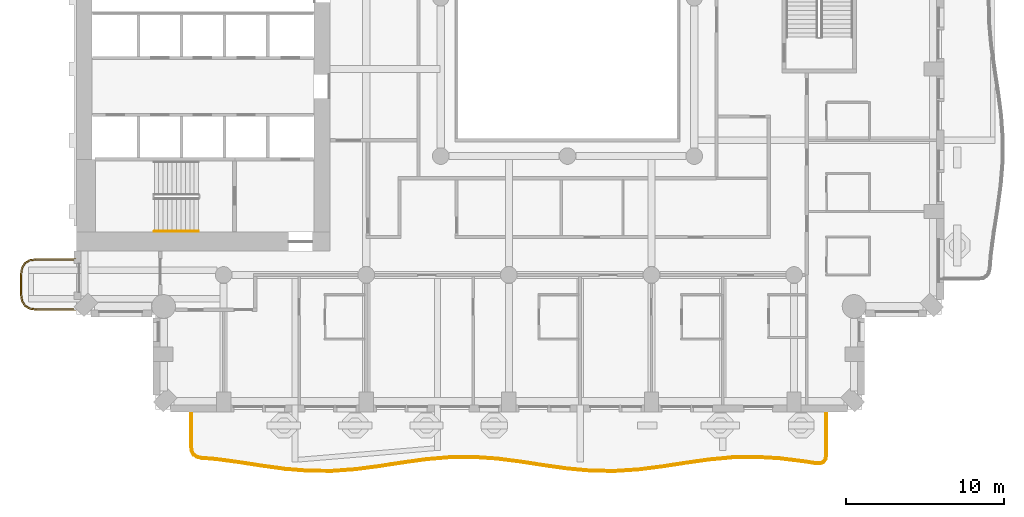
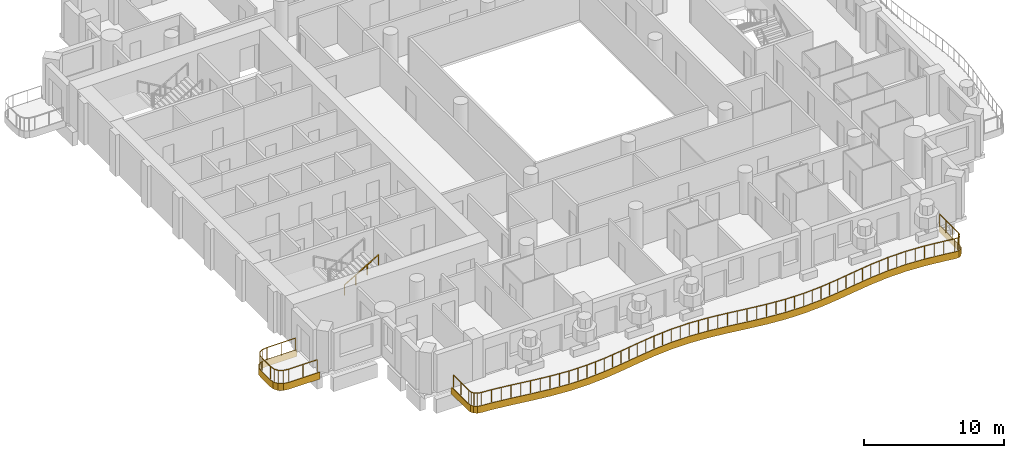
# One storey, part 13 of 20: 3 railings, 2 coverings.
"""IFC4 building model written with IfcOpenShell, lengths in metres."""

from ifc_helpers import new_model, si_unit, direction, frame, origin, origin_2d, place, context, subcontext, project, spatial, polyline, rectangle, outline, extrude, material, layer, layer_set, type_object, element, save


model = new_model("IFC4")

# Units and contexts
model_context = context("Model", 3, precision=1e-05, world=origin(), true_north=direction((0.0, 1.0)))
body_context = subcontext(model_context, "Body", "Model", "MODEL_VIEW")
ifc_project = project(units=[si_unit("LENGTHUNIT", "METRE"), si_unit("AREAUNIT", "SQUARE_METRE"), si_unit("VOLUMEUNIT", "CUBIC_METRE"), si_unit("PLANEANGLEUNIT", "RADIAN"), si_unit("MASSUNIT", "GRAM", prefix="KILO")], contexts=[model_context])

# Site, building, storey
site_placement = place(None, origin())
site = spatial("IfcSite", under=ifc_project, at=site_placement, CompositionType="ELEMENT")
building_placement = place(site_placement, origin())
building = spatial("IfcBuilding", under=site, at=building_placement, Name="Cypress Arch Tower", CompositionType="ELEMENT")
storey_placement = place(building_placement, frame((0.0, 0.0, 131.10009765625)))
storey = spatial("IfcBuildingStorey", under=building, at=storey_placement, Name="L28", CompositionType="ELEMENT", Elevation=131.10009765625)

# Coverings
ifc_material_1 = material(Name="White powder-coated aluminium fascia", Category="aluminium")
ifc_layer = layer(ifc_material_1, 0.050048828125)
ifc_layer_set = layer_set([ifc_layer], Name="Balcony fascia BF50")
covering_type = type_object("IfcCoveringType", Name="Balcony fascia BF50", PredefinedType="CLADDING", material=ifc_layer_set)
covering_1_placement = place(storey_placement, frame((0.0, 0.0, -0.60009765625)))
element("IfcCovering", 1, at=covering_1_placement, inside=storey, type_object=covering_type, Name="Balcony fascia L28-A00W1", PredefinedType="CLADDING", context=body_context, shape_type="SweptSolid", body=[
    extrude(outline(polyline([(-32.503662109375, -19.75), (-32.95458984375, -19.685546875), (-33.286376953125, -19.486328125), (-33.485595703125, -19.154541015625), (-33.550048828125, -18.70361328125), (-33.550048828125, -17.496337890625), (-33.485595703125, -17.04541015625), (-33.286376953125, -16.713623046875), (-32.95458984375, -16.514404296875), (-32.503662109375, -16.449951171875), (-30.0009765625, -16.449951171875), (-30.0009765625, -16.5), (-32.5, -16.5), (-32.9375, -16.5625), (-33.25, -16.75), (-33.4375, -17.0625), (-33.5, -17.5), (-33.5, -18.699951171875), (-33.4375, -19.137451171875), (-33.25, -19.449951171875), (-32.9375, -19.637451171875), (-32.5, -19.699951171875), (-30.0009765625, -19.699951171875), (-30.0009765625, -19.75), (-32.503662109375, -19.75)])), origin(), (0.0, 0.0, 1.0), 0.60009765625),
])
covering_2_placement = place(storey_placement, frame((0.0, 0.0, -0.60009765625)))
element("IfcCovering", 2, at=covering_2_placement, inside=storey, type_object=covering_type, Name="Balcony fascia L28-A03", PredefinedType="CLADDING", context=body_context, shape_type="SweptSolid", body=[
    extrude(outline(polyline([(17.39990234375, -28.832275390625), (17.356201171875, -29.13623046875), (17.216796875, -29.349609375), (16.984619140625, -29.454833984375), (16.677490234375, -29.451904296875), (15.85791015625, -29.325927734375), (14.375, -29.143310546875), (12.893310546875, -29.05419921875), (11.412109375, -29.082275390625), (9.929931640625, -29.2197265625), (8.4462890625, -29.430908203125), (6.960693359375, -29.66015625), (5.47314453125, -29.84765625), (3.984619140625, -29.943603515625), (2.49560546875, -29.9228515625), (1.00732421875, -29.79052734375), (-0.4794921875, -29.581787109375), (-1.96435546875, -29.351806640625), (-3.447509765625, -29.160888671875), (-4.92919921875, -29.05908203125), (-6.41064453125, -29.07275390625), (-7.892578125, -29.198486328125), (-9.3759765625, -29.4033203125), (-10.861328125, -29.6337890625), (-12.3486328125, -29.829345703125), (-13.837158203125, -29.93798828125), (-15.326171875, -29.931396484375), (-16.814697265625, -29.811279296875), (-18.3017578125, -29.609130859375), (-19.786865234375, -29.37841796875), (-21.27001953125, -29.179931640625), (-22.089111328125, -29.11669921875), (-22.394287109375, -29.04931640625), (-22.62060546875, -28.8955078125), (-22.75634765625, -28.657958984375), (-22.800048828125, -28.348388671875), (-22.800048828125, -26.0009765625), (-22.75, -26.0009765625), (-22.75, -28.344970703125), (-22.708251953125, -28.6416015625), (-22.5830078125, -28.860595703125), (-22.3740234375, -29.00244140625), (-22.081787109375, -29.06689453125), (-21.264892578125, -29.130126953125), (-19.779541015625, -29.3291015625), (-18.29443359375, -29.559814453125), (-16.809326171875, -29.761474609375), (-15.323974609375, -29.881591796875), (-13.8388671875, -29.88818359375), (-12.353759765625, -29.779541015625), (-10.868408203125, -29.584228515625), (-9.38330078125, -29.353759765625), (-7.898193359375, -29.148681640625), (-6.412841796875, -29.022705078125), (-4.927734375, -29.009033203125), (-3.442626953125, -29.111083984375), (-1.95751953125, -29.302490234375), (-0.47216796875, -29.532470703125), (1.012939453125, -29.74072265625), (2.498046875, -29.872802734375), (3.9833984375, -29.8935546875), (5.468505859375, -29.7978515625), (6.95361328125, -29.61083984375), (8.43896484375, -29.38134765625), (9.924072265625, -29.169921875), (11.4091796875, -29.0322265625), (12.89453125, -29.004150390625), (14.379638671875, -29.093505859375), (15.86474609375, -29.2763671875), (16.681640625, -29.402099609375), (16.97412109375, -29.40478515625), (17.182861328125, -29.31005859375), (17.308349609375, -29.1181640625), (17.35009765625, -28.82861328125), (17.35009765625, -26.0009765625), (17.39990234375, -26.0009765625), (17.39990234375, -28.832275390625)])), origin(), (0.0, 0.0, 1.0), 0.60009765625),
])

# Railings
ifc_material_2 = material(Name="Powder-coated steel posts and rods, 100 mm clear between rods", Category="steel")
railing_type_1 = type_object("IfcRailingType", Name="Balcony guard GR1100", PredefinedType="GUARDRAIL", material=ifc_material_2)
railing_1_placement = place(storey_placement, frame((-30.14990234375, -19.64990234375, 0.0)))
element("IfcRailing", 3, at=railing_1_placement, inside=storey, type_object=railing_type_1, Name="Balcony guard L28-A00W1", PredefinedType="GUARDRAIL", context=body_context, shape_type="SweptSolid", body=[
    extrude(rectangle(XDim=0.050048828125, YDim=0.050048828125, at=origin_2d()), frame((0.0, 0.0, 1.0751953125), z_axis=(-1.0, 0.0, 0.0), x_axis=(0.0, -1.0, 0.0)), (0.0, 0.0, 1.0), 2.346435546875),
    extrude(rectangle(XDim=0.050048828125, YDim=0.050048828125, at=origin_2d()), frame((-2.346435546875, 0.0, 1.0751953125), z_axis=(-0.989960888959, 0.141341566184, 0.0), x_axis=(-0.141341566184, -0.989960888959, 0.0)), (0.0, 0.0, 1.0), 0.428466796875),
    extrude(rectangle(XDim=0.050048828125, YDim=0.050048828125, at=origin_2d()), frame((-2.7705078125, 0.060546875, 1.0751953125), z_axis=(-0.857681904839, 0.514180659021, 0.0), x_axis=(-0.514180659021, -0.857681904839, 0.0)), (0.0, 0.0, 1.0), 0.341796875),
    extrude(rectangle(XDim=0.050048828125, YDim=0.050048828125, at=origin_2d()), frame((-3.063720703125, 0.236328125, 1.0751953125), z_axis=(-0.514180659021, 0.857681904839, 0.0), x_axis=(-0.857681904839, -0.514180659021, 0.0)), (0.0, 0.0, 1.0), 0.341796875),
    extrude(rectangle(XDim=0.050048828125, YDim=0.050048828125, at=origin_2d()), frame((-3.239501953125, 0.529541015625, 1.0751953125), z_axis=(-0.141421356237, 0.989949493661, 0.0), x_axis=(-0.989949493661, -0.141421356237, 0.0)), (0.0, 0.0, 1.0), 0.42822265625),
    extrude(rectangle(XDim=0.050048828125, YDim=0.050048828125, at=origin_2d()), frame((-3.300048828125, 0.953369140625, 1.0751953125), z_axis=(0.0, 1.0, 0.0), x_axis=(-1.0, 0.0, 0.0)), (0.0, 0.0, 1.0), 1.19287109375),
    extrude(rectangle(XDim=0.050048828125, YDim=0.050048828125, at=origin_2d()), frame((-3.300048828125, 2.146240234375, 1.0751953125), z_axis=(0.141341566184, 0.989960888959, 0.0), x_axis=(-0.989960888959, 0.141341566184, 0.0)), (0.0, 0.0, 1.0), 0.428466796875),
    extrude(rectangle(XDim=0.050048828125, YDim=0.050048828125, at=origin_2d()), frame((-3.239501953125, 2.5703125, 1.0751953125), z_axis=(0.514180659021, 0.857681904839, 0.0), x_axis=(-0.857681904839, 0.514180659021, 0.0)), (0.0, 0.0, 1.0), 0.341796875),
    extrude(rectangle(XDim=0.050048828125, YDim=0.050048828125, at=origin_2d()), frame((-3.063720703125, 2.863525390625, 1.0751953125), z_axis=(0.857681904839, 0.514180659021, 0.0), x_axis=(-0.514180659021, 0.857681904839, 0.0)), (0.0, 0.0, 1.0), 0.341796875),
    extrude(rectangle(XDim=0.050048828125, YDim=0.050048828125, at=origin_2d()), frame((-2.7705078125, 3.039306640625, 1.0751953125), z_axis=(0.989960888959, 0.141341566184, 0.0), x_axis=(-0.141341566184, 0.989960888959, 0.0)), (0.0, 0.0, 1.0), 0.428466796875),
    extrude(rectangle(XDim=0.050048828125, YDim=0.050048828125, at=origin_2d()), frame((-2.346435546875, 3.099853515625, 1.0751953125), z_axis=(1.0, 0.0, 0.0), x_axis=(0.0, 1.0, 0.0)), (0.0, 0.0, 1.0), 2.346435546875),
    extrude(rectangle(XDim=0.0400390625, YDim=0.0400390625, at=origin_2d()), origin(), (0.0, 0.0, 1.0), 1.050048828125),
    extrude(rectangle(XDim=0.0400390625, YDim=0.0400390625, at=origin_2d()), frame((-1.17333984375, 0.0, 0.0)), (0.0, 0.0, 1.0), 1.050048828125),
    extrude(rectangle(XDim=0.0400390625, YDim=0.0400390625, at=origin_2d()), frame((-2.346435546875, 0.0, 0.0)), (0.0, 0.0, 1.0), 1.050048828125),
    extrude(rectangle(XDim=0.0400390625, YDim=0.0400390625, at=origin_2d()), frame((-2.7705078125, 0.060546875, 0.0)), (0.0, 0.0, 1.0), 1.050048828125),
    extrude(rectangle(XDim=0.0400390625, YDim=0.0400390625, at=origin_2d()), frame((-3.063720703125, 0.236328125, 0.0)), (0.0, 0.0, 1.0), 1.050048828125),
    extrude(rectangle(XDim=0.0400390625, YDim=0.0400390625, at=origin_2d()), frame((-3.239501953125, 0.529541015625, 0.0)), (0.0, 0.0, 1.0), 1.050048828125),
    extrude(rectangle(XDim=0.0400390625, YDim=0.0400390625, at=origin_2d()), frame((-3.300048828125, 0.953369140625, 0.0)), (0.0, 0.0, 1.0), 1.050048828125),
    extrude(rectangle(XDim=0.0400390625, YDim=0.0400390625, at=origin_2d()), frame((-3.300048828125, 2.146240234375, 0.0)), (0.0, 0.0, 1.0), 1.050048828125),
    extrude(rectangle(XDim=0.0400390625, YDim=0.0400390625, at=origin_2d()), frame((-3.239501953125, 2.5703125, 0.0)), (0.0, 0.0, 1.0), 1.050048828125),
    extrude(rectangle(XDim=0.0400390625, YDim=0.0400390625, at=origin_2d()), frame((-3.063720703125, 2.863525390625, 0.0)), (0.0, 0.0, 1.0), 1.050048828125),
    extrude(rectangle(XDim=0.0400390625, YDim=0.0400390625, at=origin_2d()), frame((-2.7705078125, 3.039306640625, 0.0)), (0.0, 0.0, 1.0), 1.050048828125),
    extrude(rectangle(XDim=0.0400390625, YDim=0.0400390625, at=origin_2d()), frame((-2.346435546875, 3.099853515625, 0.0)), (0.0, 0.0, 1.0), 1.050048828125),
    extrude(rectangle(XDim=0.0400390625, YDim=0.0400390625, at=origin_2d()), frame((-1.17333984375, 3.099853515625, 0.0)), (0.0, 0.0, 1.0), 1.050048828125),
    extrude(rectangle(XDim=0.0400390625, YDim=0.0400390625, at=origin_2d()), frame((0.0, 3.099853515625, 0.0)), (0.0, 0.0, 1.0), 1.050048828125),
])
railing_2_placement = place(storey_placement, frame((17.300048828125, -26.14990234375, 0.0)))
element("IfcRailing", 4, at=railing_2_placement, inside=storey, type_object=railing_type_1, Name="Balcony guard L28-A03", PredefinedType="GUARDRAIL", context=body_context, shape_type="SweptSolid", body=[
    extrude(rectangle(XDim=0.050048828125, YDim=0.050048828125, at=origin_2d()), frame((0.0, 0.0, 1.0751953125), z_axis=(0.0, -1.0, 0.0), x_axis=(1.0, 0.0, 0.0)), (0.0, 0.0, 1.0), 2.675048828125),
    extrude(rectangle(XDim=0.050048828125, YDim=0.050048828125, at=origin_2d()), frame((0.0, -2.675048828125, 1.0751953125), z_axis=(-0.143142363533, -0.989702108597, 0.0), x_axis=(0.989702108597, -0.143142363533, 0.0)), (0.0, 0.0, 1.0), 0.278076171875),
    extrude(rectangle(XDim=0.050048828125, YDim=0.050048828125, at=origin_2d()), frame((-0.039794921875, -2.9501953125, 1.0751953125), z_axis=(-0.546926167925, -0.837180844763, 0.0), x_axis=(0.837180844763, -0.546926167925, 0.0)), (0.0, 0.0, 1.0), 0.20361328125),
    extrude(rectangle(XDim=0.050048828125, YDim=0.050048828125, at=origin_2d()), frame((-0.151123046875, -3.12060546875, 1.0751953125), z_axis=(-0.910571523184, -0.413351546709, 0.0), x_axis=(0.413351546709, -0.910571523184, 0.0)), (0.0, 0.0, 1.0), 0.203857421875),
    extrude(rectangle(XDim=0.050048828125, YDim=0.050048828125, at=origin_2d()), frame((-0.336669921875, -3.204833984375, 1.0751953125), z_axis=(-0.999953204514, 0.009674129507, 0.0), x_axis=(-0.009674129507, -0.999953204514, 0.0)), (0.0, 0.0, 1.0), 0.277587890625),
    extrude(rectangle(XDim=0.050048828125, YDim=0.050048828125, at=origin_2d()), frame((-0.6142578125, -3.2021484375, 1.0751953125), z_axis=(-0.988375123577, 0.152034914062, 0.0), x_axis=(-0.152034914062, -0.988375123577, 0.0)), (0.0, 0.0, 1.0), 0.82373046875),
    extrude(rectangle(XDim=0.050048828125, YDim=0.050048828125, at=origin_2d()), frame((-1.428466796875, -3.076904296875, 1.0751953125), z_axis=(-0.992506755939, 0.122189768049, 0.0), x_axis=(-0.122189768049, -0.992506755939, 0.0)), (0.0, 0.0, 1.0), 1.49853515625),
    extrude(rectangle(XDim=0.050048828125, YDim=0.050048828125, at=origin_2d()), frame((-2.915771484375, -2.893798828125, 1.0751953125), z_axis=(-0.998203670908, 0.059911863488, 0.0), x_axis=(-0.059911863488, -0.998203670908, 0.0)), (0.0, 0.0, 1.0), 1.491455078125),
    extrude(rectangle(XDim=0.050048828125, YDim=0.050048828125, at=origin_2d()), frame((-4.404541015625, -2.804443359375, 1.0751953125), z_axis=(-0.999825358015, -0.018688324449, 0.0), x_axis=(0.018688324449, -0.999825358015, 0.0)), (0.0, 0.0, 1.0), 1.4892578125),
    extrude(rectangle(XDim=0.050048828125, YDim=0.050048828125, at=origin_2d()), frame((-5.8935546875, -2.832275390625, 1.0751953125), z_axis=(-0.995717315914, -0.092450131366, 0.0), x_axis=(0.092450131366, -0.995717315914, 0.0)), (0.0, 0.0, 1.0), 1.49462890625),
    extrude(rectangle(XDim=0.050048828125, YDim=0.050048828125, at=origin_2d()), frame((-7.3818359375, -2.970458984375, 1.0751953125), z_axis=(-0.990037103831, -0.140806722273, 0.0), x_axis=(0.140806722273, -0.990037103831, 0.0)), (0.0, 0.0, 1.0), 1.50146484375),
    extrude(rectangle(XDim=0.050048828125, YDim=0.050048828125, at=origin_2d()), frame((-8.868408203125, -3.181884765625, 1.0751953125), z_axis=(-0.988266265066, -0.152740922256, 0.0), x_axis=(0.152740922256, -0.988266265066, 0.0)), (0.0, 0.0, 1.0), 1.50244140625),
    extrude(rectangle(XDim=0.050048828125, YDim=0.050048828125, at=origin_2d()), frame((-10.353271484375, -3.411376953125, 1.0751953125), z_axis=(-0.992161847266, -0.124959468745, 0.0), x_axis=(0.124959468745, -0.992161847266, 0.0)), (0.0, 0.0, 1.0), 1.49462890625),
    extrude(rectangle(XDim=0.050048828125, YDim=0.050048828125, at=origin_2d()), frame((-11.836181640625, -3.59814453125, 1.0751953125), z_axis=(-0.997931098348, -0.064292479726, 0.0), x_axis=(0.064292479726, -0.997931098348, 0.0)), (0.0, 0.0, 1.0), 1.48486328125),
    extrude(rectangle(XDim=0.050048828125, YDim=0.050048828125, at=origin_2d()), frame((-13.31787109375, -3.693603515625, 1.0751953125), z_axis=(-0.99990190366, 0.014006536225, 0.0), x_axis=(-0.014006536225, -0.99990190366, 0.0)), (0.0, 0.0, 1.0), 1.481689453125),
    extrude(rectangle(XDim=0.050048828125, YDim=0.050048828125, at=origin_2d()), frame((-14.79931640625, -3.6728515625, 1.0751953125), z_axis=(-0.996081960189, 0.088434883305, 0.0), x_axis=(-0.088434883305, -0.996081960189, 0.0)), (0.0, 0.0, 1.0), 1.488037109375),
    extrude(rectangle(XDim=0.050048828125, YDim=0.050048828125, at=origin_2d()), frame((-16.281494140625, -3.541259765625, 1.0751953125), z_axis=(-0.990288860181, 0.139025081918, 0.0), x_axis=(-0.139025081918, -0.990288860181, 0.0)), (0.0, 0.0, 1.0), 1.498046875),
    extrude(rectangle(XDim=0.050048828125, YDim=0.050048828125, at=origin_2d()), frame((-17.764892578125, -3.3330078125, 1.0751953125), z_axis=(-0.988228572221, 0.152984603949, 0.0), x_axis=(-0.152984603949, -0.988228572221, 0.0)), (0.0, 0.0, 1.0), 1.503173828125),
    extrude(rectangle(XDim=0.050048828125, YDim=0.050048828125, at=origin_2d()), frame((-19.25048828125, -3.10302734375, 1.0751953125), z_axis=(-0.991799847974, 0.127800866819, 0.0), x_axis=(-0.127800866819, -0.991799847974, 0.0)), (0.0, 0.0, 1.0), 1.49951171875),
    extrude(rectangle(XDim=0.050048828125, YDim=0.050048828125, at=origin_2d()), frame((-20.73779296875, -2.911376953125, 1.0751953125), z_axis=(-0.99764695258, 0.06856061557, 0.0), x_axis=(-0.06856061557, -0.99764695258, 0.0)), (0.0, 0.0, 1.0), 1.491943359375),
    extrude(rectangle(XDim=0.050048828125, YDim=0.050048828125, at=origin_2d()), frame((-22.226318359375, -2.80908203125, 1.0751953125), z_axis=(-0.999957849636, -0.00918144607, 0.0), x_axis=(0.00918144607, -0.999957849636, 0.0)), (0.0, 0.0, 1.0), 1.489013671875),
    extrude(rectangle(XDim=0.050048828125, YDim=0.050048828125, at=origin_2d()), frame((-23.71533203125, -2.82275390625, 1.0751953125), z_axis=(-0.99642410841, -0.084492580621, 0.0), x_axis=(0.084492580621, -0.99642410841, 0.0)), (0.0, 0.0, 1.0), 1.493896484375),
    extrude(rectangle(XDim=0.050048828125, YDim=0.050048828125, at=origin_2d()), frame((-25.203857421875, -2.948974609375, 1.0751953125), z_axis=(-0.990577044819, -0.136956629185, 0.0), x_axis=(0.136956629185, -0.990577044819, 0.0)), (0.0, 0.0, 1.0), 1.5009765625),
    extrude(rectangle(XDim=0.050048828125, YDim=0.050048828125, at=origin_2d()), frame((-26.690673828125, -3.154541015625, 1.0751953125), z_axis=(-0.988171781301, -0.153351004693, 0.0), x_axis=(0.153351004693, -0.988171781301, 0.0)), (0.0, 0.0, 1.0), 1.5029296875),
    extrude(rectangle(XDim=0.050048828125, YDim=0.050048828125, at=origin_2d()), frame((-28.17578125, -3.385009765625, 1.0751953125), z_axis=(-0.991482602856, -0.130239196227, 0.0), x_axis=(0.130239196227, -0.991482602856, 0.0)), (0.0, 0.0, 1.0), 1.495849609375),
    extrude(rectangle(XDim=0.050048828125, YDim=0.050048828125, at=origin_2d()), frame((-29.658935546875, -3.579833984375, 1.0751953125), z_axis=(-0.997334598664, -0.072963678004, 0.0), x_axis=(0.072963678004, -0.997334598664, 0.0)), (0.0, 0.0, 1.0), 1.485595703125),
    extrude(rectangle(XDim=0.050048828125, YDim=0.050048828125, at=origin_2d()), frame((-31.140625, -3.688232421875, 1.0751953125), z_axis=(-0.999990100804, 0.004449527476, 0.0), x_axis=(-0.004449527476, -0.999990100804, 0.0)), (0.0, 0.0, 1.0), 1.4814453125),
    extrude(rectangle(XDim=0.050048828125, YDim=0.050048828125, at=origin_2d()), frame((-32.6220703125, -3.681640625, 1.0751953125), z_axis=(-0.996757585494, 0.080463132931, 0.0), x_axis=(-0.080463132931, -0.996757585494, 0.0)), (0.0, 0.0, 1.0), 1.48681640625),
    extrude(rectangle(XDim=0.050048828125, YDim=0.050048828125, at=origin_2d()), frame((-34.10400390625, -3.56201171875, 1.0751953125), z_axis=(-0.990885657782, 0.134705653938, 0.0), x_axis=(-0.134705653938, -0.990885657782, 0.0)), (0.0, 0.0, 1.0), 1.4970703125),
    extrude(rectangle(XDim=0.050048828125, YDim=0.050048828125, at=origin_2d()), frame((-35.58740234375, -3.3603515625, 1.0751953125), z_axis=(-0.988147152264, 0.153509626646, 0.0), x_axis=(-0.153509626646, -0.988147152264, 0.0)), (0.0, 0.0, 1.0), 1.5029296875),
    extrude(rectangle(XDim=0.050048828125, YDim=0.050048828125, at=origin_2d()), frame((-37.072509765625, -3.129638671875, 1.0751953125), z_axis=(-0.991145280574, 0.132781899351, 0.0), x_axis=(-0.132781899351, -0.991145280574, 0.0)), (0.0, 0.0, 1.0), 1.500244140625),
    extrude(rectangle(XDim=0.050048828125, YDim=0.050048828125, at=origin_2d()), frame((-38.5595703125, -2.930419921875, 1.0751953125), z_axis=(-0.997024531976, 0.077084905379, 0.0), x_axis=(-0.077084905379, -0.997024531976, 0.0)), (0.0, 0.0, 1.0), 0.817138671875),
    extrude(rectangle(XDim=0.050048828125, YDim=0.050048828125, at=origin_2d()), frame((-39.374267578125, -2.867431640625, 1.0751953125), z_axis=(-0.976665922259, 0.214764234214, 0.0), x_axis=(-0.214764234214, -0.976665922259, 0.0)), (0.0, 0.0, 1.0), 0.286376953125),
    extrude(rectangle(XDim=0.050048828125, YDim=0.050048828125, at=origin_2d()), frame((-39.654052734375, -2.805908203125, 1.0751953125), z_axis=(-0.827142570474, 0.561992142391, 0.0), x_axis=(-0.561992142391, -0.827142570474, 0.0)), (0.0, 0.0, 1.0), 0.231201171875),
    extrude(rectangle(XDim=0.050048828125, YDim=0.050048828125, at=origin_2d()), frame((-39.84521484375, -2.676025390625, 1.0751953125), z_axis=(-0.496706682447, 0.867918470602, 0.0), x_axis=(-0.867918470602, -0.496706682447, 0.0)), (0.0, 0.0, 1.0), 0.2314453125),
    extrude(rectangle(XDim=0.050048828125, YDim=0.050048828125, at=origin_2d()), frame((-39.960205078125, -2.47509765625, 1.0751953125), z_axis=(-0.139032653693, 0.990287797162, 0.0), x_axis=(-0.990287797162, -0.139032653693, 0.0)), (0.0, 0.0, 1.0), 0.2861328125),
    extrude(rectangle(XDim=0.050048828125, YDim=0.050048828125, at=origin_2d()), frame((-40.0, -2.191650390625, 1.0751953125), z_axis=(0.0, 1.0, 0.0), x_axis=(-1.0, 0.0, 0.0)), (0.0, 0.0, 1.0), 2.191650390625),
    extrude(rectangle(XDim=0.0400390625, YDim=0.0400390625, at=origin_2d()), origin(), (0.0, 0.0, 1.0), 1.050048828125),
    extrude(rectangle(XDim=0.0400390625, YDim=0.0400390625, at=origin_2d()), frame((0.0, -0.8916015625, 0.0)), (0.0, 0.0, 1.0), 1.050048828125),
    extrude(rectangle(XDim=0.0400390625, YDim=0.0400390625, at=origin_2d()), frame((0.0, -1.783447265625, 0.0)), (0.0, 0.0, 1.0), 1.050048828125),
    extrude(rectangle(XDim=0.0400390625, YDim=0.0400390625, at=origin_2d()), frame((0.0, -2.675048828125, 0.0)), (0.0, 0.0, 1.0), 1.050048828125),
    extrude(rectangle(XDim=0.0400390625, YDim=0.0400390625, at=origin_2d()), frame((-0.039794921875, -2.9501953125, 0.0)), (0.0, 0.0, 1.0), 1.050048828125),
    extrude(rectangle(XDim=0.0400390625, YDim=0.0400390625, at=origin_2d()), frame((-0.151123046875, -3.12060546875, 0.0)), (0.0, 0.0, 1.0), 1.050048828125),
    extrude(rectangle(XDim=0.0400390625, YDim=0.0400390625, at=origin_2d()), frame((-0.336669921875, -3.204833984375, 0.0)), (0.0, 0.0, 1.0), 1.050048828125),
    extrude(rectangle(XDim=0.0400390625, YDim=0.0400390625, at=origin_2d()), frame((-0.6142578125, -3.2021484375, 0.0)), (0.0, 0.0, 1.0), 1.050048828125),
    extrude(rectangle(XDim=0.0400390625, YDim=0.0400390625, at=origin_2d()), frame((-1.428466796875, -3.076904296875, 0.0)), (0.0, 0.0, 1.0), 1.050048828125),
    extrude(rectangle(XDim=0.0400390625, YDim=0.0400390625, at=origin_2d()), frame((-2.172119140625, -2.9853515625, 0.0)), (0.0, 0.0, 1.0), 1.050048828125),
    extrude(rectangle(XDim=0.0400390625, YDim=0.0400390625, at=origin_2d()), frame((-2.915771484375, -2.893798828125, 0.0)), (0.0, 0.0, 1.0), 1.050048828125),
    extrude(rectangle(XDim=0.0400390625, YDim=0.0400390625, at=origin_2d()), frame((-3.66015625, -2.84912109375, 0.0)), (0.0, 0.0, 1.0), 1.050048828125),
    extrude(rectangle(XDim=0.0400390625, YDim=0.0400390625, at=origin_2d()), frame((-4.404541015625, -2.804443359375, 0.0)), (0.0, 0.0, 1.0), 1.050048828125),
    extrude(rectangle(XDim=0.0400390625, YDim=0.0400390625, at=origin_2d()), frame((-5.14892578125, -2.818359375, 0.0)), (0.0, 0.0, 1.0), 1.050048828125),
    extrude(rectangle(XDim=0.0400390625, YDim=0.0400390625, at=origin_2d()), frame((-5.8935546875, -2.832275390625, 0.0)), (0.0, 0.0, 1.0), 1.050048828125),
    extrude(rectangle(XDim=0.0400390625, YDim=0.0400390625, at=origin_2d()), frame((-6.6376953125, -2.9013671875, 0.0)), (0.0, 0.0, 1.0), 1.050048828125),
    extrude(rectangle(XDim=0.0400390625, YDim=0.0400390625, at=origin_2d()), frame((-7.3818359375, -2.970458984375, 0.0)), (0.0, 0.0, 1.0), 1.050048828125),
    extrude(rectangle(XDim=0.0400390625, YDim=0.0400390625, at=origin_2d()), frame((-8.125, -3.076171875, 0.0)), (0.0, 0.0, 1.0), 1.050048828125),
    extrude(rectangle(XDim=0.0400390625, YDim=0.0400390625, at=origin_2d()), frame((-8.868408203125, -3.181884765625, 0.0)), (0.0, 0.0, 1.0), 1.050048828125),
    extrude(rectangle(XDim=0.0400390625, YDim=0.0400390625, at=origin_2d()), frame((-9.61083984375, -3.296630859375, 0.0)), (0.0, 0.0, 1.0), 1.050048828125),
    extrude(rectangle(XDim=0.0400390625, YDim=0.0400390625, at=origin_2d()), frame((-10.353271484375, -3.411376953125, 0.0)), (0.0, 0.0, 1.0), 1.050048828125),
    extrude(rectangle(XDim=0.0400390625, YDim=0.0400390625, at=origin_2d()), frame((-11.0947265625, -3.5048828125, 0.0)), (0.0, 0.0, 1.0), 1.050048828125),
    extrude(rectangle(XDim=0.0400390625, YDim=0.0400390625, at=origin_2d()), frame((-11.836181640625, -3.59814453125, 0.0)), (0.0, 0.0, 1.0), 1.050048828125),
    extrude(rectangle(XDim=0.0400390625, YDim=0.0400390625, at=origin_2d()), frame((-12.5771484375, -3.64599609375, 0.0)), (0.0, 0.0, 1.0), 1.050048828125),
    extrude(rectangle(XDim=0.0400390625, YDim=0.0400390625, at=origin_2d()), frame((-13.31787109375, -3.693603515625, 0.0)), (0.0, 0.0, 1.0), 1.050048828125),
    extrude(rectangle(XDim=0.0400390625, YDim=0.0400390625, at=origin_2d()), frame((-14.05859375, -3.68310546875, 0.0)), (0.0, 0.0, 1.0), 1.050048828125),
    extrude(rectangle(XDim=0.0400390625, YDim=0.0400390625, at=origin_2d()), frame((-14.79931640625, -3.6728515625, 0.0)), (0.0, 0.0, 1.0), 1.050048828125),
    extrude(rectangle(XDim=0.0400390625, YDim=0.0400390625, at=origin_2d()), frame((-15.54052734375, -3.60693359375, 0.0)), (0.0, 0.0, 1.0), 1.050048828125),
    extrude(rectangle(XDim=0.0400390625, YDim=0.0400390625, at=origin_2d()), frame((-16.281494140625, -3.541259765625, 0.0)), (0.0, 0.0, 1.0), 1.050048828125),
    extrude(rectangle(XDim=0.0400390625, YDim=0.0400390625, at=origin_2d()), frame((-17.023193359375, -3.43701171875, 0.0)), (0.0, 0.0, 1.0), 1.050048828125),
    extrude(rectangle(XDim=0.0400390625, YDim=0.0400390625, at=origin_2d()), frame((-17.764892578125, -3.3330078125, 0.0)), (0.0, 0.0, 1.0), 1.050048828125),
    extrude(rectangle(XDim=0.0400390625, YDim=0.0400390625, at=origin_2d()), frame((-18.5078125, -3.218017578125, 0.0)), (0.0, 0.0, 1.0), 1.050048828125),
    extrude(rectangle(XDim=0.0400390625, YDim=0.0400390625, at=origin_2d()), frame((-19.25048828125, -3.10302734375, 0.0)), (0.0, 0.0, 1.0), 1.050048828125),
    extrude(rectangle(XDim=0.0400390625, YDim=0.0400390625, at=origin_2d()), frame((-19.994140625, -3.00732421875, 0.0)), (0.0, 0.0, 1.0), 1.050048828125),
    extrude(rectangle(XDim=0.0400390625, YDim=0.0400390625, at=origin_2d()), frame((-20.73779296875, -2.911376953125, 0.0)), (0.0, 0.0, 1.0), 1.050048828125),
    extrude(rectangle(XDim=0.0400390625, YDim=0.0400390625, at=origin_2d()), frame((-21.48193359375, -2.8603515625, 0.0)), (0.0, 0.0, 1.0), 1.050048828125),
    extrude(rectangle(XDim=0.0400390625, YDim=0.0400390625, at=origin_2d()), frame((-22.226318359375, -2.80908203125, 0.0)), (0.0, 0.0, 1.0), 1.050048828125),
    extrude(rectangle(XDim=0.0400390625, YDim=0.0400390625, at=origin_2d()), frame((-22.970703125, -2.81591796875, 0.0)), (0.0, 0.0, 1.0), 1.050048828125),
    extrude(rectangle(XDim=0.0400390625, YDim=0.0400390625, at=origin_2d()), frame((-23.71533203125, -2.82275390625, 0.0)), (0.0, 0.0, 1.0), 1.050048828125),
    extrude(rectangle(XDim=0.0400390625, YDim=0.0400390625, at=origin_2d()), frame((-24.45947265625, -2.8857421875, 0.0)), (0.0, 0.0, 1.0), 1.050048828125),
    extrude(rectangle(XDim=0.0400390625, YDim=0.0400390625, at=origin_2d()), frame((-25.203857421875, -2.948974609375, 0.0)), (0.0, 0.0, 1.0), 1.050048828125),
    extrude(rectangle(XDim=0.0400390625, YDim=0.0400390625, at=origin_2d()), frame((-25.947265625, -3.0517578125, 0.0)), (0.0, 0.0, 1.0), 1.050048828125),
    extrude(rectangle(XDim=0.0400390625, YDim=0.0400390625, at=origin_2d()), frame((-26.690673828125, -3.154541015625, 0.0)), (0.0, 0.0, 1.0), 1.050048828125),
    extrude(rectangle(XDim=0.0400390625, YDim=0.0400390625, at=origin_2d()), frame((-27.43310546875, -3.269775390625, 0.0)), (0.0, 0.0, 1.0), 1.050048828125),
    extrude(rectangle(XDim=0.0400390625, YDim=0.0400390625, at=origin_2d()), frame((-28.17578125, -3.385009765625, 0.0)), (0.0, 0.0, 1.0), 1.050048828125),
    extrude(rectangle(XDim=0.0400390625, YDim=0.0400390625, at=origin_2d()), frame((-28.91748046875, -3.482421875, 0.0)), (0.0, 0.0, 1.0), 1.050048828125),
    extrude(rectangle(XDim=0.0400390625, YDim=0.0400390625, at=origin_2d()), frame((-29.658935546875, -3.579833984375, 0.0)), (0.0, 0.0, 1.0), 1.050048828125),
    extrude(rectangle(XDim=0.0400390625, YDim=0.0400390625, at=origin_2d()), frame((-30.39990234375, -3.634033203125, 0.0)), (0.0, 0.0, 1.0), 1.050048828125),
    extrude(rectangle(XDim=0.0400390625, YDim=0.0400390625, at=origin_2d()), frame((-31.140625, -3.688232421875, 0.0)), (0.0, 0.0, 1.0), 1.050048828125),
    extrude(rectangle(XDim=0.0400390625, YDim=0.0400390625, at=origin_2d()), frame((-31.88134765625, -3.68505859375, 0.0)), (0.0, 0.0, 1.0), 1.050048828125),
    extrude(rectangle(XDim=0.0400390625, YDim=0.0400390625, at=origin_2d()), frame((-32.6220703125, -3.681640625, 0.0)), (0.0, 0.0, 1.0), 1.050048828125),
    extrude(rectangle(XDim=0.0400390625, YDim=0.0400390625, at=origin_2d()), frame((-33.363037109375, -3.621826171875, 0.0)), (0.0, 0.0, 1.0), 1.050048828125),
    extrude(rectangle(XDim=0.0400390625, YDim=0.0400390625, at=origin_2d()), frame((-34.10400390625, -3.56201171875, 0.0)), (0.0, 0.0, 1.0), 1.050048828125),
    extrude(rectangle(XDim=0.0400390625, YDim=0.0400390625, at=origin_2d()), frame((-34.845703125, -3.461181640625, 0.0)), (0.0, 0.0, 1.0), 1.050048828125),
    extrude(rectangle(XDim=0.0400390625, YDim=0.0400390625, at=origin_2d()), frame((-35.58740234375, -3.3603515625, 0.0)), (0.0, 0.0, 1.0), 1.050048828125),
    extrude(rectangle(XDim=0.0400390625, YDim=0.0400390625, at=origin_2d()), frame((-36.330078125, -3.2451171875, 0.0)), (0.0, 0.0, 1.0), 1.050048828125),
    extrude(rectangle(XDim=0.0400390625, YDim=0.0400390625, at=origin_2d()), frame((-37.072509765625, -3.129638671875, 0.0)), (0.0, 0.0, 1.0), 1.050048828125),
    extrude(rectangle(XDim=0.0400390625, YDim=0.0400390625, at=origin_2d()), frame((-37.81591796875, -3.030029296875, 0.0)), (0.0, 0.0, 1.0), 1.050048828125),
    extrude(rectangle(XDim=0.0400390625, YDim=0.0400390625, at=origin_2d()), frame((-38.5595703125, -2.930419921875, 0.0)), (0.0, 0.0, 1.0), 1.050048828125),
    extrude(rectangle(XDim=0.0400390625, YDim=0.0400390625, at=origin_2d()), frame((-39.374267578125, -2.867431640625, 0.0)), (0.0, 0.0, 1.0), 1.050048828125),
    extrude(rectangle(XDim=0.0400390625, YDim=0.0400390625, at=origin_2d()), frame((-39.654052734375, -2.805908203125, 0.0)), (0.0, 0.0, 1.0), 1.050048828125),
    extrude(rectangle(XDim=0.0400390625, YDim=0.0400390625, at=origin_2d()), frame((-39.84521484375, -2.676025390625, 0.0)), (0.0, 0.0, 1.0), 1.050048828125),
    extrude(rectangle(XDim=0.0400390625, YDim=0.0400390625, at=origin_2d()), frame((-39.960205078125, -2.47509765625, 0.0)), (0.0, 0.0, 1.0), 1.050048828125),
    extrude(rectangle(XDim=0.0400390625, YDim=0.0400390625, at=origin_2d()), frame((-40.0, -2.191650390625, 0.0)), (0.0, 0.0, 1.0), 1.050048828125),
    extrude(rectangle(XDim=0.0400390625, YDim=0.0400390625, at=origin_2d()), frame((-40.0, -1.095703125, 0.0)), (0.0, 0.0, 1.0), 1.050048828125),
    extrude(rectangle(XDim=0.0400390625, YDim=0.0400390625, at=origin_2d()), frame((-40.0, 0.0, 0.0)), (0.0, 0.0, 1.0), 1.050048828125),
])
ifc_material_3 = material(Name="Black powder-coated steel square bar 48 mm", Category="steel")
railing_type_2 = type_object("IfcRailingType", Name="Stair handrail HR1", PredefinedType="HANDRAIL", material=ifc_material_3)
railing_3_placement = place(storey_placement, frame((-25.074951171875, -14.75, 1.963623046875)))
element("IfcRailing", 5, at=railing_3_placement, inside=storey, type_object=railing_type_2, Name="L28 A stair handrail 2", PredefinedType="HANDRAIL", context=body_context, shape_type="SweptSolid", body=[
    extrude(rectangle(XDim=0.048095703125, YDim=0.048095703125, at=origin_2d()), frame((0.0, 0.0, 0.8759765625), z_axis=(0.863393664356, 0.0, 0.504530851732), x_axis=(0.0, 1.0, 0.0)), (0.0, 0.0, 1.0), 3.2431640625),
    extrude(rectangle(XDim=0.0419921875, YDim=0.0419921875, at=origin_2d()), origin(), (0.0, 0.0, 1.0), 0.851806640625),
    extrude(rectangle(XDim=0.0419921875, YDim=0.0419921875, at=origin_2d()), frame((0.933349609375, 0.0, 0.54541015625)), (0.0, 0.0, 1.0), 0.851806640625),
    extrude(rectangle(XDim=0.0419921875, YDim=0.0419921875, at=origin_2d()), frame((1.86669921875, 0.0, 1.0908203125)), (0.0, 0.0, 1.0), 0.851806640625),
    extrude(rectangle(XDim=0.0419921875, YDim=0.0419921875, at=origin_2d()), frame((2.800048828125, 0.0, 1.63623046875)), (0.0, 0.0, 1.0), 0.851806640625),
])

save(model, "model.ifc")
